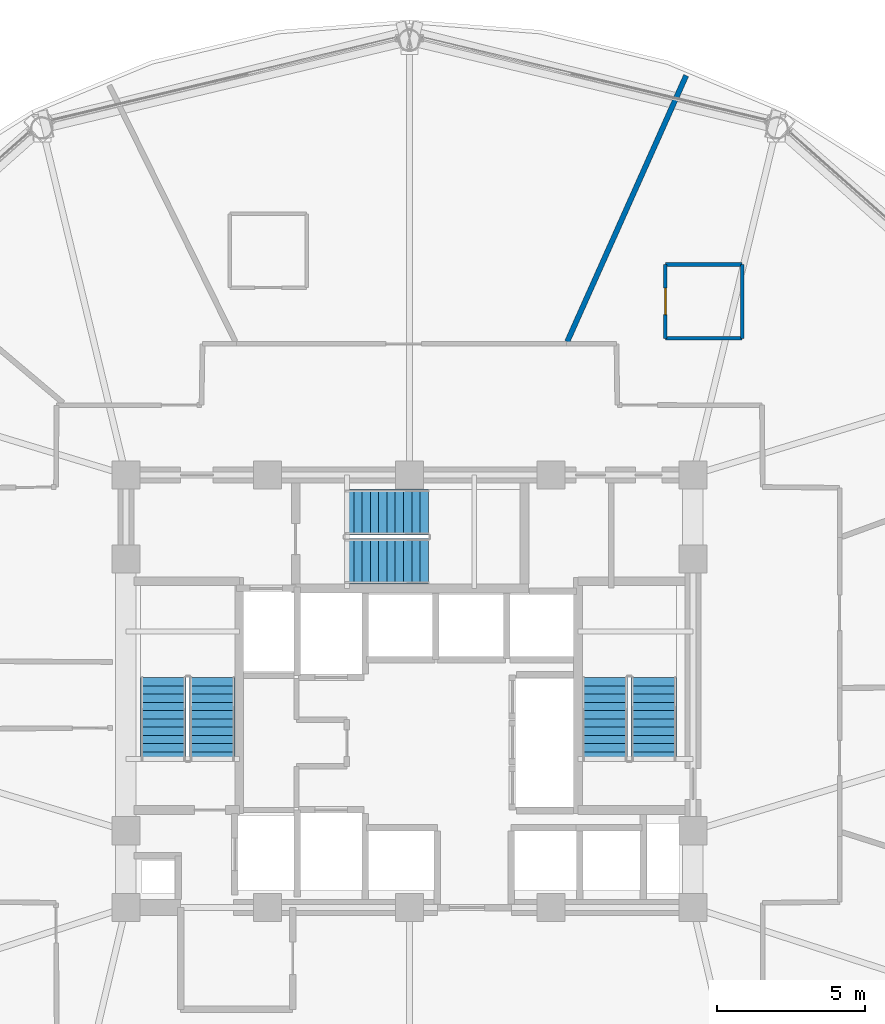
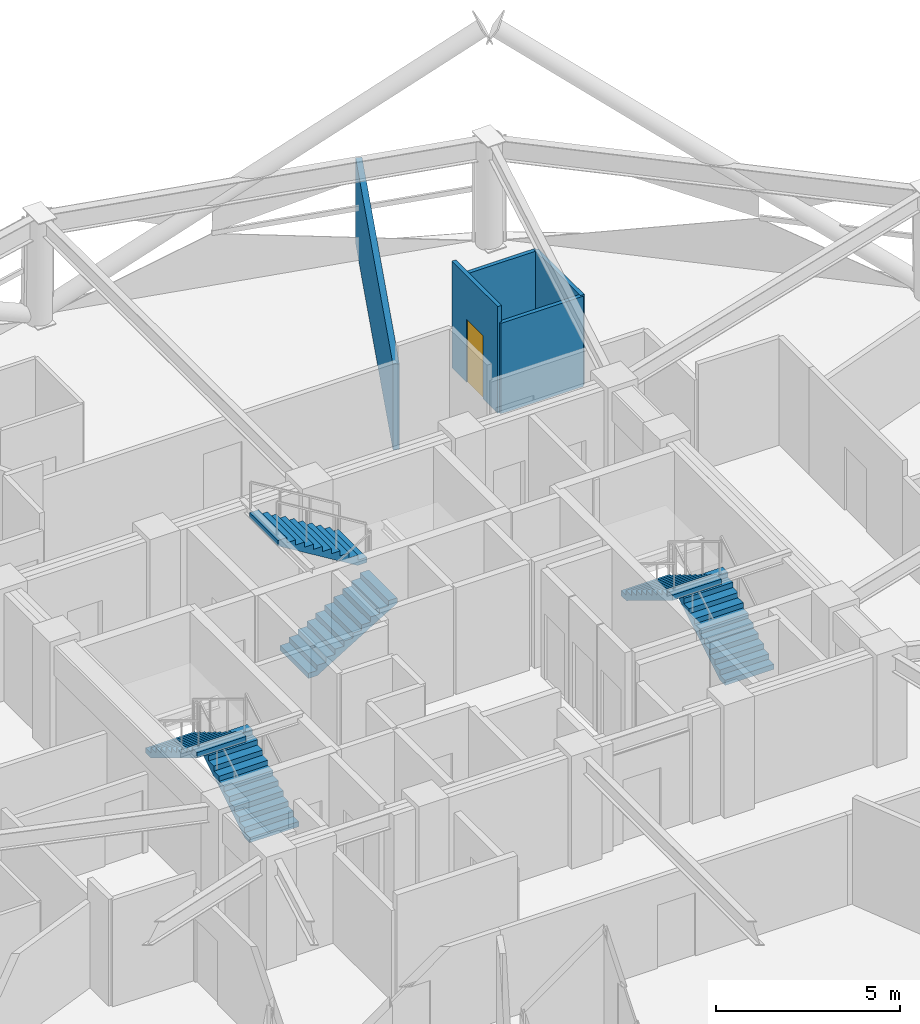
# One storey, part 13 of 17: 6 stair flights, 5 walls, 1 door, 1 opening, 3 elements without a shape of their own.
"""IFC4 building model written with IfcOpenShell, lengths in metres."""

from ifc_helpers import new_model, si_unit, direction, frame, frame_2d, origin, place, context, subcontext, project, spatial, polyline, rectangle, outline, extrude, material, layer, layer_set, type_object, element, fill, aggregate, save


model = new_model("IFC4")

# Units and contexts
model_context = context("Model", 3, precision=1e-05, world=origin(), true_north=direction((0.0, 1.0)))
body_context = subcontext(model_context, "Body", "Model", "MODEL_VIEW")
ifc_project = project(units=[si_unit("LENGTHUNIT", "METRE"), si_unit("AREAUNIT", "SQUARE_METRE"), si_unit("VOLUMEUNIT", "CUBIC_METRE"), si_unit("PLANEANGLEUNIT", "RADIAN"), si_unit("MASSUNIT", "GRAM", prefix="KILO")], contexts=[model_context])

# Site, building, storey
site_placement = place(None, origin())
site = spatial("IfcSite", under=ifc_project, at=site_placement, CompositionType="ELEMENT")
building_placement = place(site_placement, origin())
building = spatial("IfcBuilding", under=site, at=building_placement, Name="Vantalir Tower", CompositionType="ELEMENT")
storey_placement = place(building_placement, frame((0.0, 0.0, 142.199951171875)))
storey = spatial("IfcBuildingStorey", under=building, at=storey_placement, Name="L35", CompositionType="ELEMENT", Elevation=142.199951171875)

# Walls
ifc_material_1 = material(Name="Moisture-resistant en-suite partition", Category="gypsum")
ifc_layer_1 = layer(ifc_material_1, 0.125)
ifc_layer_set_1 = layer_set([ifc_layer_1], Name="Moisture-resistant en-suite partition")
wall_type_1 = type_object("IfcWallType", Name="WL-BATH-125", PredefinedType="PARTITIONING", material=ifc_layer_set_1)
for number, where, z_axis, x_axis, name in (
    (1, (40.16796875, 37.077880859375, 0.0), (0.0, 0.0, 1.0), (1.0, 0.0, 0.0), "L35 En-suite 01 South Wall"),
    (2, (40.16796875, 39.577880859375, 0.0), (0.0, 0.0, 1.0), (1.0, 0.0, 0.0), "L35 En-suite 01 North Wall"),
):
    element("IfcWall", number, at=place(storey_placement, frame(where, z_axis=z_axis, x_axis=x_axis)), inside=storey, type_object=wall_type_1, Name=name, PredefinedType="PARTITIONING", context=body_context, shape_type="SweptSolid", body=[
        extrude(rectangle(XDim=2.60009765625, YDim=0.125, at=frame_2d((1.300048828125, 0.0))), origin(), (0.0, 0.0, 1.0), 3.006103515625),
    ])

# Wall, opening, door
wall_1_placement = place(storey_placement, frame((40.16796875, 37.077880859375, 0.0), z_axis=(0.0, 0.0, 1.0), x_axis=(0.0, 1.0, 0.0)))
wall_1 = element("IfcWall", 3, at=wall_1_placement, inside=storey, type_object=wall_type_1, Name="L35 En-suite 01 West Wall", PredefinedType="PARTITIONING", context=body_context, shape_type="SweptSolid", body=[
    extrude(rectangle(XDim=2.5, YDim=0.125, at=frame_2d((1.25, 0.0))), origin(), (0.0, 0.0, 1.0), 3.550048828125),
])
opening_placement = place(wall_1_placement, frame((0.800048828125, 0.0, 0.0)))
opening = element("IfcOpeningElement", 4, at=opening_placement, cuts=wall_1, Name="Opening D-WC", PredefinedType="OPENING", context=body_context, shape_type="SweptSolid", body=[
    extrude(rectangle(XDim=0.89990234375, YDim=2.10009765625, at=frame_2d((0.449951171875, 1.050048828125))), frame((0.0, 0.072509765625, 0.0), z_axis=(0.0, -1.0, 0.0), x_axis=(1.0, 0.0, 0.0)), (0.0, 0.0, 1.0), 0.14501953125),
])
ifc_material_2 = material(Name="Moisture-resistant hardwood door", Category="wood")
door_type = type_object("IfcDoorType", Name="DR-ENSUITE-900", OperationType="NOTDEFINED", PredefinedType="DOOR", material=ifc_material_2)
door_placement = place(opening_placement, frame((0.89990234375, 0.0, 0.0), z_axis=(0.0, 0.0, 1.0), x_axis=(-1.0, 0.0, 0.0)))
door = element("IfcDoor", 5, at=door_placement, inside=storey, type_object=door_type, Name="L35 En-suite 01 Door", OperationType="SINGLE_SWING_LEFT", OverallHeight=2.10009765625, OverallWidth=0.89990234375, PredefinedType="DOOR", context=body_context, shape_type="SweptSolid", body=[
    extrude(rectangle(XDim=0.89990234375, YDim=2.10009765625, at=frame_2d((0.449951171875, 1.050048828125))), frame((0.0, 0.02490234375, 0.0), z_axis=(0.0, -1.0, 0.0), x_axis=(1.0, 0.0, 0.0)), (0.0, 0.0, 1.0), 0.050048828125),
])
fill(opening, door)

# Walls
wall_2_placement = place(storey_placement, frame((42.76806640625, 37.077880859375, 0.0), z_axis=(0.0, 0.0, 1.0), x_axis=(0.0, 1.0, 0.0)))
element("IfcWall", 6, at=wall_2_placement, inside=storey, type_object=wall_type_1, Name="L35 En-suite 01 East Wall", PredefinedType="PARTITIONING", context=body_context, shape_type="SweptSolid", body=[
    extrude(rectangle(XDim=2.5, YDim=0.125, at=frame_2d((1.25, 0.0))), origin(), (0.0, 0.0, 1.0), 3.006103515625),
])
ifc_material_3 = material(Name="Twin-stud acoustic fire-rated gypsum partition", Category="gypsum")
ifc_layer_2 = layer(ifc_material_3, 0.179931640625)
ifc_layer_set_2 = layer_set([ifc_layer_2], Name="Twin-stud acoustic fire-rated gypsum partition")
wall_type_2 = type_object("IfcWallType", Name="WL-GUEST-180", PredefinedType="PARTITIONING", material=ifc_layer_set_2)
wall_3_placement = place(storey_placement, frame((36.846923828125, 36.965087890625, 0.0), z_axis=(0.0, 0.0, 1.0), x_axis=(0.407926019729, 0.913014984777, 0.0)))
element("IfcWall", 7, at=wall_3_placement, inside=storey, type_object=wall_type_2, Name="L35 Radial Suite Partition 02", PredefinedType="PARTITIONING", context=body_context, shape_type="SweptSolid", body=[
    extrude(rectangle(XDim=9.867431640625, YDim=0.179931640625, at=frame_2d((4.93359375, 0.0))), origin(), (0.0, 0.0, 1.0), 2.85205078125),
])

# Stair, stair flights
ifc_material_4 = material(Name="Concrete C40/50", Category="concrete")
stair_type = type_object("IfcStairType", Name="STR-CORE-1450", PredefinedType="HALF_TURN_STAIR", material=ifc_material_4)
stair_1_placement = place(storey_placement, origin())
stair_1 = element("IfcStair", 8, at=stair_1_placement, inside=storey, type_object=stair_type, Name="L35 Core Exit Stair 1", PredefinedType="HALF_TURN_STAIR")
stair_flight_type = type_object("IfcStairFlightType", Name="FLT-CORE-1450", PredefinedType="STRAIGHT", material=ifc_material_4)
stair_flight_1_placement = place(storey_placement, frame((24.830078125, 22.7900390625, 0.0), z_axis=(0.0, 0.0, 1.0), x_axis=(0.0, 1.0, 0.0)))
stair_flight_1 = element("IfcStairFlight", 9, at=stair_flight_1_placement, type_object=stair_flight_type, Name="ST1 flight 1", NumberOfRisers=11, NumberOfTreads=10, PredefinedType="STRAIGHT", RiserHeight=0.170454545, TreadLength=0.28, context=body_context, shape_type="SweptSolid", body=[
    extrude(outline(polyline([(0.0, 0.0), (0.0, 0.17041015625), (0.280029296875, 0.17041015625), (0.280029296875, 0.3408203125), (0.56005859375, 0.3408203125), (0.56005859375, 0.511474609375), (0.840087890625, 0.511474609375), (0.840087890625, 0.681884765625), (1.1201171875, 0.681884765625), (1.1201171875, 0.852294921875), (1.39990234375, 0.852294921875), (1.39990234375, 1.022705078125), (1.679931640625, 1.022705078125), (1.679931640625, 1.193115234375), (1.9599609375, 1.193115234375), (1.9599609375, 1.363525390625), (2.239990234375, 1.363525390625), (2.239990234375, 1.5341796875), (2.52001953125, 1.5341796875), (2.52001953125, 1.70458984375), (2.800048828125, 1.70458984375), (2.800048828125, 1.875), (2.800048828125, 1.529052734375), (0.288330078125, 0.0), (0.0, 0.0)])), frame((0.0, 0.77001953125, 0.0), z_axis=(0.0, -1.0, 0.0), x_axis=(1.0, 0.0, 0.0)), (0.0, 0.0, 1.0), 1.5400390625),
])
stair_flight_2_placement = place(storey_placement, frame((23.169921875, 25.590087890625, 1.875), z_axis=(0.0, 0.0, 1.0), x_axis=(0.0, -1.0, 0.0)))
stair_flight_2 = element("IfcStairFlight", 10, at=stair_flight_2_placement, type_object=stair_flight_type, Name="ST1 flight 2", NumberOfRisers=11, NumberOfTreads=10, PredefinedType="STRAIGHT", RiserHeight=0.170454545, TreadLength=0.28, context=body_context, shape_type="SweptSolid", body=[
    extrude(outline(polyline([(0.0, 0.0), (0.0, 0.17041015625), (0.280029296875, 0.17041015625), (0.280029296875, 0.3408203125), (0.56005859375, 0.3408203125), (0.56005859375, 0.511474609375), (0.840087890625, 0.511474609375), (0.840087890625, 0.681884765625), (1.1201171875, 0.681884765625), (1.1201171875, 0.852294921875), (1.39990234375, 0.852294921875), (1.39990234375, 1.022705078125), (1.679931640625, 1.022705078125), (1.679931640625, 1.193115234375), (1.9599609375, 1.193115234375), (1.9599609375, 1.363525390625), (2.239990234375, 1.363525390625), (2.239990234375, 1.5341796875), (2.52001953125, 1.5341796875), (2.52001953125, 1.70458984375), (2.800048828125, 1.70458984375), (2.800048828125, 1.875), (2.800048828125, 1.529052734375), (0.288330078125, 0.0), (0.0, 0.0)])), frame((0.0, 0.77001953125, 0.0), z_axis=(0.0, -1.0, 0.0), x_axis=(1.0, 0.0, 0.0)), (0.0, 0.0, 1.0), 1.5400390625),
])
aggregate(stair_1, [stair_flight_1, stair_flight_2])

stair_2_placement = place(storey_placement, origin())
stair_2 = element("IfcStair", 11, at=stair_2_placement, inside=storey, type_object=stair_type, Name="L35 Core Exit Stair 2", PredefinedType="HALF_TURN_STAIR")
stair_flight_3_placement = place(storey_placement, frame((39.780029296875, 22.7900390625, 0.0), z_axis=(0.0, 0.0, 1.0), x_axis=(0.0, 1.0, 0.0)))
stair_flight_3 = element("IfcStairFlight", 12, at=stair_flight_3_placement, type_object=stair_flight_type, Name="ST2 flight 1", NumberOfRisers=11, NumberOfTreads=10, PredefinedType="STRAIGHT", RiserHeight=0.170454545, TreadLength=0.28, context=body_context, shape_type="SweptSolid", body=[
    extrude(outline(polyline([(0.0, 0.0), (0.0, 0.17041015625), (0.280029296875, 0.17041015625), (0.280029296875, 0.3408203125), (0.56005859375, 0.3408203125), (0.56005859375, 0.511474609375), (0.840087890625, 0.511474609375), (0.840087890625, 0.681884765625), (1.1201171875, 0.681884765625), (1.1201171875, 0.852294921875), (1.39990234375, 0.852294921875), (1.39990234375, 1.022705078125), (1.679931640625, 1.022705078125), (1.679931640625, 1.193115234375), (1.9599609375, 1.193115234375), (1.9599609375, 1.363525390625), (2.239990234375, 1.363525390625), (2.239990234375, 1.5341796875), (2.52001953125, 1.5341796875), (2.52001953125, 1.70458984375), (2.800048828125, 1.70458984375), (2.800048828125, 1.875), (2.800048828125, 1.529052734375), (0.288330078125, 0.0), (0.0, 0.0)])), frame((0.0, 0.77001953125, 0.0), z_axis=(0.0, -1.0, 0.0), x_axis=(1.0, 0.0, 0.0)), (0.0, 0.0, 1.0), 1.5400390625),
])
stair_flight_4_placement = place(storey_placement, frame((38.1201171875, 25.590087890625, 1.875), z_axis=(0.0, 0.0, 1.0), x_axis=(0.0, -1.0, 0.0)))
stair_flight_4 = element("IfcStairFlight", 13, at=stair_flight_4_placement, type_object=stair_flight_type, Name="ST2 flight 2", NumberOfRisers=11, NumberOfTreads=10, PredefinedType="STRAIGHT", RiserHeight=0.170454545, TreadLength=0.28, context=body_context, shape_type="SweptSolid", body=[
    extrude(outline(polyline([(0.0, 0.0), (0.0, 0.17041015625), (0.280029296875, 0.17041015625), (0.280029296875, 0.3408203125), (0.56005859375, 0.3408203125), (0.56005859375, 0.511474609375), (0.840087890625, 0.511474609375), (0.840087890625, 0.681884765625), (1.1201171875, 0.681884765625), (1.1201171875, 0.852294921875), (1.39990234375, 0.852294921875), (1.39990234375, 1.022705078125), (1.679931640625, 1.022705078125), (1.679931640625, 1.193115234375), (1.9599609375, 1.193115234375), (1.9599609375, 1.363525390625), (2.239990234375, 1.363525390625), (2.239990234375, 1.5341796875), (2.52001953125, 1.5341796875), (2.52001953125, 1.70458984375), (2.800048828125, 1.70458984375), (2.800048828125, 1.875), (2.800048828125, 1.529052734375), (0.288330078125, 0.0), (0.0, 0.0)])), frame((0.0, 0.77001953125, 0.0), z_axis=(0.0, -1.0, 0.0), x_axis=(1.0, 0.0, 0.0)), (0.0, 0.0, 1.0), 1.5400390625),
])
aggregate(stair_2, [stair_flight_3, stair_flight_4])

stair_3_placement = place(storey_placement, origin())
stair_3 = element("IfcStair", 14, at=stair_3_placement, inside=storey, type_object=stair_type, Name="L35 Core Exit Stair 3", PredefinedType="HALF_TURN_STAIR")
stair_flight_5_placement = place(storey_placement, frame((29.340087890625, 29.52001953125, 0.0), z_axis=(0.0, 0.0, 1.0), x_axis=(1.0, 0.0, 0.0)))
stair_flight_5 = element("IfcStairFlight", 15, at=stair_flight_5_placement, type_object=stair_flight_type, Name="ST3 flight 1", NumberOfRisers=11, NumberOfTreads=10, PredefinedType="STRAIGHT", RiserHeight=0.170454545, TreadLength=0.28, context=body_context, shape_type="SweptSolid", body=[
    extrude(outline(polyline([(0.0, 0.0), (0.0, 0.17041015625), (0.280029296875, 0.17041015625), (0.280029296875, 0.3408203125), (0.56005859375, 0.3408203125), (0.56005859375, 0.511474609375), (0.840087890625, 0.511474609375), (0.840087890625, 0.681884765625), (1.1201171875, 0.681884765625), (1.1201171875, 0.852294921875), (1.39990234375, 0.852294921875), (1.39990234375, 1.022705078125), (1.679931640625, 1.022705078125), (1.679931640625, 1.193115234375), (1.9599609375, 1.193115234375), (1.9599609375, 1.363525390625), (2.239990234375, 1.363525390625), (2.239990234375, 1.5341796875), (2.52001953125, 1.5341796875), (2.52001953125, 1.70458984375), (2.800048828125, 1.70458984375), (2.800048828125, 1.875), (2.800048828125, 1.529052734375), (0.288330078125, 0.0), (0.0, 0.0)])), frame((0.0, 0.77001953125, 0.0), z_axis=(0.0, -1.0, 0.0), x_axis=(1.0, 0.0, 0.0)), (0.0, 0.0, 1.0), 1.5400390625),
])
stair_flight_6_placement = place(storey_placement, frame((32.139892578125, 31.179931640625, 1.875), z_axis=(0.0, 0.0, 1.0), x_axis=(-1.0, 0.0, 0.0)))
stair_flight_6 = element("IfcStairFlight", 16, at=stair_flight_6_placement, type_object=stair_flight_type, Name="ST3 flight 2", NumberOfRisers=11, NumberOfTreads=10, PredefinedType="STRAIGHT", RiserHeight=0.170454545, TreadLength=0.28, context=body_context, shape_type="SweptSolid", body=[
    extrude(outline(polyline([(0.0, 0.0), (0.0, 0.17041015625), (0.280029296875, 0.17041015625), (0.280029296875, 0.3408203125), (0.56005859375, 0.3408203125), (0.56005859375, 0.511474609375), (0.840087890625, 0.511474609375), (0.840087890625, 0.681884765625), (1.1201171875, 0.681884765625), (1.1201171875, 0.852294921875), (1.39990234375, 0.852294921875), (1.39990234375, 1.022705078125), (1.679931640625, 1.022705078125), (1.679931640625, 1.193115234375), (1.9599609375, 1.193115234375), (1.9599609375, 1.363525390625), (2.239990234375, 1.363525390625), (2.239990234375, 1.5341796875), (2.52001953125, 1.5341796875), (2.52001953125, 1.70458984375), (2.800048828125, 1.70458984375), (2.800048828125, 1.875), (2.800048828125, 1.529052734375), (0.288330078125, 0.0), (0.0, 0.0)])), frame((0.0, 0.77001953125, 0.0), z_axis=(0.0, -1.0, 0.0), x_axis=(1.0, 0.0, 0.0)), (0.0, 0.0, 1.0), 1.5400390625),
])
aggregate(stair_3, [stair_flight_5, stair_flight_6])

save(model, "model.ifc")
